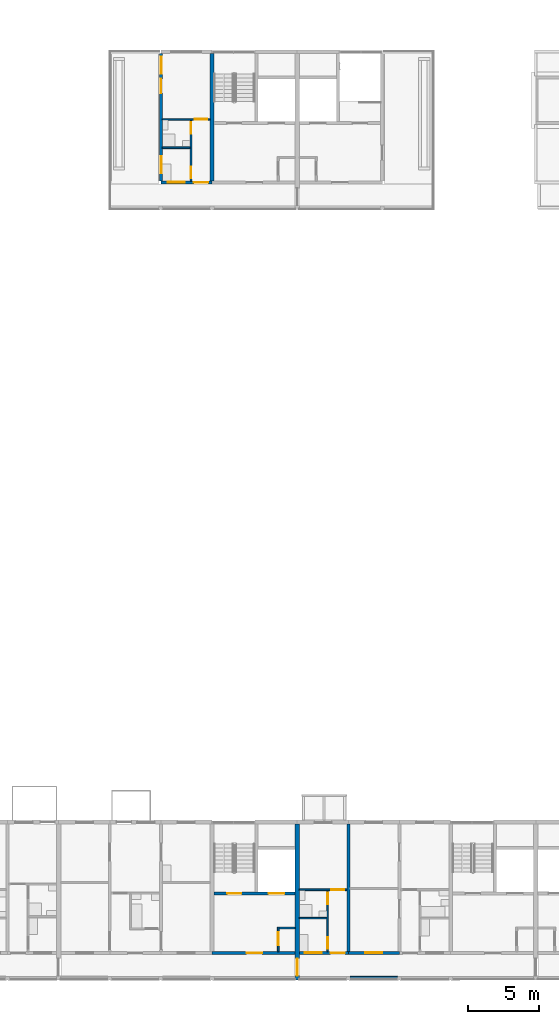
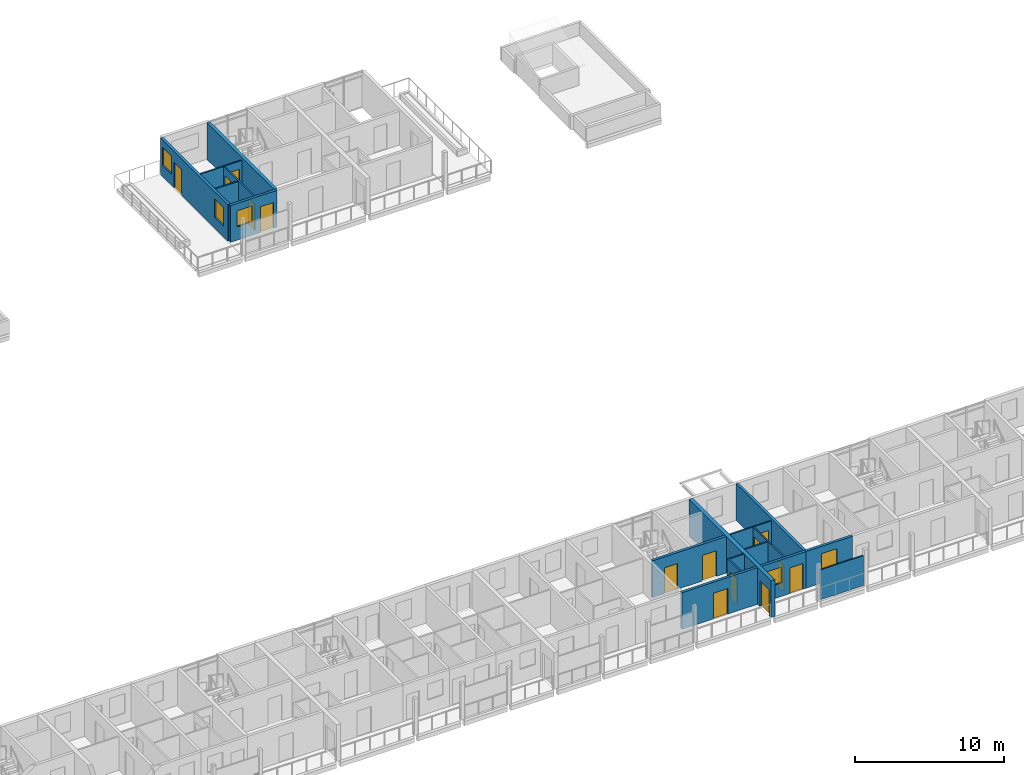
# One storey, part 42 of 87: 18 walls, 14 doors, 5 windows, 19 openings.
"""IFC4 building model written with IfcOpenShell, lengths in metres."""

from ifc_helpers import new_model, si_unit, direction, frame, frame_2d, origin, place, context, subcontext, project, spatial, rectangle, extrude, material, layer, layer_set, type_object, element, fill, save


model = new_model("IFC4")

# Units and contexts
model_context = context("Model", 3, precision=1e-05, world=origin(), true_north=direction((0.0, 1.0)))
body_context = subcontext(model_context, "Body", "Model", "MODEL_VIEW")
ifc_project = project(units=[si_unit("LENGTHUNIT", "METRE"), si_unit("AREAUNIT", "SQUARE_METRE"), si_unit("VOLUMEUNIT", "CUBIC_METRE"), si_unit("PLANEANGLEUNIT", "RADIAN"), si_unit("MASSUNIT", "GRAM", prefix="KILO")], contexts=[model_context])

# Site, building, storey
site_placement = place(None, origin())
site = spatial("IfcSite", under=ifc_project, at=site_placement, CompositionType="ELEMENT")
building_placement = place(site_placement, origin())
building = spatial("IfcBuilding", under=site, at=building_placement, Name="Ridgestep Commons", CompositionType="ELEMENT")
storey_placement = place(building_placement, frame((0.0, 0.0, 27.0)))
storey = spatial("IfcBuildingStorey", under=building, at=storey_placement, Name="L09", CompositionType="ELEMENT", Elevation=27.0)

# Wall
ifc_material_1 = material(Name="Concrete C30/37", Category="concrete")
ifc_layer_1 = layer(ifc_material_1, 0.25)
ifc_layer_set_1 = layer_set([ifc_layer_1], Name="Core cross wall 250")
wall_type_1 = type_object("IfcWallType", Name="Core cross wall 250", PredefinedType="SHEAR", material=ifc_layer_set_1)
wall_1_placement = place(storey_placement, frame((73.199951171875, 68.0, 0.0), z_axis=(0.0, 0.0, 1.0), x_axis=(0.0, 1.0, 0.0)))
element("IfcWall", 1, at=wall_1_placement, inside=storey, type_object=wall_type_1, Name="Cross wall B-09-0732", PredefinedType="SHEAR", context=body_context, shape_type="SweptSolid", body=[
    extrude(rectangle(XDim=9.0, YDim=0.25, at=frame_2d((4.5, 0.0))), origin(), (0.0, 0.0, 1.0), 3.0),
])

# Wall, opening, door
ifc_material_2 = material(Name="Concrete C30/37", Category="concrete")
ifc_layer_2 = layer(ifc_material_2, 0.199951171875)
ifc_layer_set_2 = layer_set([ifc_layer_2], Name="Core south wall 200")
wall_type_2 = type_object("IfcWallType", Name="Core south wall 200", PredefinedType="SHEAR", material=ifc_layer_set_2)
wall_2_placement = place(storey_placement, frame((73.199951171875, 13.64990234375, 0.0), z_axis=(0.0, 0.0, 1.0), x_axis=(1.0, 0.0, 0.0)))
wall_2 = element("IfcWall", 2, at=wall_2_placement, inside=storey, type_object=wall_type_2, Name="Core south wall A4C L09", PredefinedType="SHEAR", context=body_context, shape_type="SweptSolid", body=[
    extrude(rectangle(XDim=5.85009765625, YDim=0.199951171875, at=frame_2d((2.925048828125, 0.0))), origin(), (0.0, 0.0, 1.0), 3.0),
])
opening_1_placement = place(wall_2_placement, frame((2.4375, 0.0, 0.0)))
opening_1 = element("IfcOpeningElement", 3, at=opening_1_placement, cuts=wall_2, Name="Opening A4C/09/1", PredefinedType="OPENING", context=body_context, shape_type="SweptSolid", body=[
    extrude(rectangle(XDim=1.10009765625, YDim=2.10009765625, at=frame_2d((0.550048828125, 1.050048828125))), frame((0.0, 0.10986328125, 0.0), z_axis=(0.0, -1.0, 0.0), x_axis=(1.0, 0.0, 0.0)), (0.0, 0.0, 1.0), 0.219970703125),
])
ifc_material_3 = material(Name="Steel fire door", Category="steel")
door_type_1 = type_object("IfcDoorType", Name="Lobby door 1100 x 2100 FD60", OperationType="NOTDEFINED", PredefinedType="DOOR", material=ifc_material_3)
door_1_placement = place(opening_1_placement, origin())
door_1 = element("IfcDoor", 4, at=door_1_placement, inside=storey, type_object=door_type_1, Name="Lobby door A4C/09/1", OperationType="SINGLE_SWING_LEFT", OverallHeight=2.10009765625, OverallWidth=1.10009765625, PredefinedType="DOOR", context=body_context, shape_type="SweptSolid", body=[
    extrude(rectangle(XDim=1.10009765625, YDim=2.10009765625, at=frame_2d((0.550048828125, 1.050048828125))), frame((0.0, 0.02490234375, 0.0), z_axis=(0.0, -1.0, 0.0), x_axis=(1.0, 0.0, 0.0)), (0.0, 0.0, 1.0), 0.050048828125),
])
fill(opening_1, door_1)

ifc_material_4 = material(Name="Concrete C30/37", Category="concrete")
ifc_layer_3 = layer(ifc_material_4, 0.1201171875)
ifc_layer_set_3 = layer_set([ifc_layer_3], Name="Core wall 120")
wall_type_3 = type_object("IfcWallType", Name="Core wall 120", PredefinedType="SHEAR", material=ifc_layer_set_3)
wall_3_placement = place(storey_placement, frame((77.860107421875, 13.75, 0.0), z_axis=(0.0, 0.0, 1.0), x_axis=(0.0, 1.0, 0.0)))
wall_3 = element("IfcWall", 5, at=wall_3_placement, inside=storey, type_object=wall_type_3, Name="Core riser w wall A4C L09", PredefinedType="SHEAR", context=body_context, shape_type="SweptSolid", body=[
    extrude(rectangle(XDim=1.719970703125, YDim=0.1201171875, at=frame_2d((0.85986328125, 0.0))), origin(), (0.0, 0.0, 1.0), 3.0),
])
opening_2_placement = place(wall_3_placement, frame((0.449951171875, 0.0, 0.0)))
opening_2 = element("IfcOpeningElement", 6, at=opening_2_placement, cuts=wall_3, Name="Opening A4C/09/4", PredefinedType="OPENING", context=body_context, shape_type="SweptSolid", body=[
    extrude(rectangle(XDim=0.89990234375, YDim=2.10009765625, at=frame_2d((0.449951171875, 1.050048828125))), frame((0.0, 0.070068359375, 0.0), z_axis=(0.0, -1.0, 0.0), x_axis=(1.0, 0.0, 0.0)), (0.0, 0.0, 1.0), 0.14013671875),
])
ifc_material_5 = material(Name="Steel fire door", Category="steel")
door_type_2 = type_object("IfcDoorType", Name="Riser door 900 x 2100 FD60", OperationType="NOTDEFINED", PredefinedType="DOOR", material=ifc_material_5)
door_2_placement = place(opening_2_placement, origin())
door_2 = element("IfcDoor", 7, at=door_2_placement, inside=storey, type_object=door_type_2, Name="Riser door A4C/09/4", OperationType="SINGLE_SWING_LEFT", OverallHeight=2.10009765625, OverallWidth=0.89990234375, PredefinedType="DOOR", context=body_context, shape_type="SweptSolid", body=[
    extrude(rectangle(XDim=0.89990234375, YDim=2.10009765625, at=frame_2d((0.449951171875, 1.050048828125))), frame((0.0, 0.02490234375, 0.0), z_axis=(0.0, -1.0, 0.0), x_axis=(1.0, 0.0, 0.0)), (0.0, 0.0, 1.0), 0.050048828125),
])
fill(opening_2, door_2)

# Wall
wall_4_placement = place(storey_placement, frame((77.919921875, 15.409912109375, 0.0), z_axis=(0.0, 0.0, 1.0), x_axis=(1.0, 0.0, 0.0)))
element("IfcWall", 8, at=wall_4_placement, inside=storey, type_object=wall_type_3, Name="Core riser n wall A4C L09", PredefinedType="SHEAR", context=body_context, shape_type="SweptSolid", body=[
    extrude(rectangle(XDim=1.130126953125, YDim=0.1201171875, at=frame_2d((0.56494140625, 0.0))), origin(), (0.0, 0.0, 1.0), 3.0),
])

# Wall, openings, doors
ifc_material_6 = material(Name="Concrete C30/37", Category="concrete")
ifc_layer_4 = layer(ifc_material_6, 0.199951171875)
ifc_layer_set_4 = layer_set([ifc_layer_4], Name="Core wall 200")
wall_type_4 = type_object("IfcWallType", Name="Core wall 200", PredefinedType="SHEAR", material=ifc_layer_set_4)
wall_5_placement = place(storey_placement, frame((73.324951171875, 17.85009765625, 0.0), z_axis=(0.0, 0.0, 1.0), x_axis=(1.0, 0.0, 0.0)))
wall_5 = element("IfcWall", 9, at=wall_5_placement, inside=storey, type_object=wall_type_4, Name="Core lobby wall A4C L09", PredefinedType="SHEAR", context=body_context, shape_type="SweptSolid", body=[
    extrude(rectangle(XDim=5.72509765625, YDim=0.199951171875, at=frame_2d((2.862548828125, 0.0))), origin(), (0.0, 0.0, 1.0), 3.0),
])
opening_3_placement = place(wall_5_placement, frame((0.949951171875, 0.0, 0.0)))
opening_3 = element("IfcOpeningElement", 10, at=opening_3_placement, cuts=wall_5, Name="Opening A4C/09/2", PredefinedType="OPENING", context=body_context, shape_type="SweptSolid", body=[
    extrude(rectangle(XDim=1.0, YDim=2.10009765625, at=frame_2d((0.5, 1.050048828125))), frame((0.0, 0.10986328125, 0.0), z_axis=(0.0, -1.0, 0.0), x_axis=(1.0, 0.0, 0.0)), (0.0, 0.0, 1.0), 0.219970703125),
])
opening_4_placement = place(wall_5_placement, frame((3.862548828125, 0.0, 0.0)))
opening_4 = element("IfcOpeningElement", 11, at=opening_4_placement, cuts=wall_5, Name="Opening A4C/09/3", PredefinedType="OPENING", context=body_context, shape_type="SweptSolid", body=[
    extrude(rectangle(XDim=1.10009765625, YDim=2.10009765625, at=frame_2d((0.550048828125, 1.050048828125))), frame((0.0, 0.10986328125, 0.0), z_axis=(0.0, -1.0, 0.0), x_axis=(1.0, 0.0, 0.0)), (0.0, 0.0, 1.0), 0.219970703125),
])
ifc_material_7 = material(Name="Stainless steel", Category="steel")
door_type_3 = type_object("IfcDoorType", Name="Lift landing door 1100 x 2100 FD60", OperationType="DOUBLE_DOOR_SLIDING", PredefinedType="DOOR", material=ifc_material_7)
door_3_placement = place(opening_4_placement, origin())
door_3 = element("IfcDoor", 12, at=door_3_placement, inside=storey, type_object=door_type_3, Name="Landing door LD A4C L09", OperationType="DOUBLE_DOOR_SLIDING", OverallHeight=2.10009765625, OverallWidth=1.10009765625, PredefinedType="DOOR", context=body_context, shape_type="SweptSolid", body=[
    extrude(rectangle(XDim=1.10009765625, YDim=2.10009765625, at=frame_2d((0.550048828125, 1.050048828125))), frame((0.0, 0.02490234375, 0.0), z_axis=(0.0, -1.0, 0.0), x_axis=(1.0, 0.0, 0.0)), (0.0, 0.0, 1.0), 0.050048828125),
])
fill(opening_4, door_3)
ifc_material_8 = material(Name="Steel fire door", Category="steel")
door_type_4 = type_object("IfcDoorType", Name="Stair door 1000 x 2100 FD60", OperationType="NOTDEFINED", PredefinedType="DOOR", material=ifc_material_8)
door_4_placement = place(opening_3_placement, origin())
door_4 = element("IfcDoor", 13, at=door_4_placement, inside=storey, type_object=door_type_4, Name="Stair door A4C/09/2", OperationType="SINGLE_SWING_RIGHT", OverallHeight=2.10009765625, OverallWidth=1.0, PredefinedType="DOOR", context=body_context, shape_type="SweptSolid", body=[
    extrude(rectangle(XDim=1.0, YDim=2.10009765625, at=frame_2d((0.5, 1.050048828125))), frame((0.0, 0.02490234375, 0.0), z_axis=(0.0, -1.0, 0.0), x_axis=(1.0, 0.0, 0.0)), (0.0, 0.0, 1.0), 0.050048828125),
])
fill(opening_3, door_4)

# Wall
ifc_material_9 = material(Name="Precast concrete C40/50", Category="concrete")
ifc_layer_5 = layer(ifc_material_9, 0.199951171875)
ifc_layer_set_5 = layer_set([ifc_layer_5], Name="Cross wall 200")
wall_type_5 = type_object("IfcWallType", Name="Cross wall 200", PredefinedType="SHEAR", material=ifc_layer_set_5)
wall_6_placement = place(storey_placement, frame((82.800048828125, 13.75, 0.0), z_axis=(0.0, 0.0, 1.0), x_axis=(0.0, 1.0, 0.0)))
element("IfcWall", 14, at=wall_6_placement, inside=storey, type_object=wall_type_5, Name="Cross wall A-09-0828", PredefinedType="SHEAR", context=body_context, shape_type="SweptSolid", body=[
    extrude(rectangle(XDim=9.0, YDim=0.199951171875, at=frame_2d((4.5, 0.0))), origin(), (0.0, 0.0, 1.0), 3.0),
])

# Wall, opening, door
ifc_material_10 = material(Name="Precast concrete C40/50", Category="concrete")
ifc_layer_6 = layer(ifc_material_10, 0.300048828125)
ifc_layer_set_6 = layer_set([ifc_layer_6], Name="Division wall 300")
wall_type_6 = type_object("IfcWallType", Name="Division wall 300", PredefinedType="SHEAR", material=ifc_layer_set_6)
wall_7_placement = place(storey_placement, frame((79.199951171875, 11.75, 0.0), z_axis=(0.0, 0.0, 1.0), x_axis=(0.0, 1.0, 0.0)))
wall_7 = element("IfcWall", 15, at=wall_7_placement, inside=storey, type_object=wall_type_6, Name="Cross wall A-09-0792", PredefinedType="SHEAR", context=body_context, shape_type="SweptSolid", body=[
    extrude(rectangle(XDim=11.0, YDim=0.300048828125, at=frame_2d((5.5, 0.0))), origin(), (0.0, 0.0, 1.0), 3.0),
])
opening_5_placement = place(wall_7_placement, frame((0.300048828125, 0.0, 0.0)))
opening_5 = element("IfcOpeningElement", 16, at=opening_5_placement, cuts=wall_7, Name="Opening A/09/G0792", PredefinedType="OPENING", context=body_context, shape_type="SweptSolid", body=[
    extrude(rectangle(XDim=1.199951171875, YDim=2.10009765625, at=frame_2d((0.60009765625, 1.050048828125))), frame((0.0, 0.159912109375, 0.0), z_axis=(0.0, -1.0, 0.0), x_axis=(1.0, 0.0, 0.0)), (0.0, 0.0, 1.0), 0.320068359375),
])
ifc_material_11 = material(Name="Steel fire door", Category="steel")
door_type_5 = type_object("IfcDoorType", Name="Division fire door 1200 x 2100 EI 240", OperationType="DOUBLE_DOOR_SINGLE_SWING", PredefinedType="DOOR", material=ifc_material_11)
door_5_placement = place(opening_5_placement, origin())
door_5 = element("IfcDoor", 17, at=door_5_placement, inside=storey, type_object=door_type_5, Name="Division fire door A/09/G0792", OperationType="DOUBLE_DOOR_SINGLE_SWING", OverallHeight=2.10009765625, OverallWidth=1.199951171875, PredefinedType="DOOR", context=body_context, shape_type="SweptSolid", body=[
    extrude(rectangle(XDim=1.199951171875, YDim=2.10009765625, at=frame_2d((0.60009765625, 1.050048828125))), frame((0.0, 0.02490234375, 0.0), z_axis=(0.0, -1.0, 0.0), x_axis=(1.0, 0.0, 0.0)), (0.0, 0.0, 1.0), 0.050048828125),
])
fill(opening_5, door_5)

# Wall, openings, windows, door
ifc_material_12 = material(Name="Precast concrete C40/50", Category="concrete")
ifc_layer_7 = layer(ifc_material_12, 0.199951171875)
ifc_layer_set_7 = layer_set([ifc_layer_7], Name="Exposed cross wall 200")
wall_type_7 = type_object("IfcWallType", Name="Exposed cross wall 200", PredefinedType="SHEAR", material=ifc_layer_set_7)
wall_8_placement = place(storey_placement, frame((69.60009765625, 68.0, 0.0), z_axis=(0.0, 0.0, 1.0), x_axis=(0.0, 1.0, 0.0)))
wall_8 = element("IfcWall", 18, at=wall_8_placement, inside=storey, type_object=wall_type_7, Name="Cross wall B-09-0696", PredefinedType="SHEAR", context=body_context, shape_type="SweptSolid", body=[
    extrude(rectangle(XDim=9.0, YDim=0.199951171875, at=frame_2d((4.5, 0.0))), origin(), (0.0, 0.0, 1.0), 3.0),
])
opening_6_placement = place(wall_8_placement, frame((0.550048828125, 0.0, 0.89990234375)))
opening_6 = element("IfcOpeningElement", 19, at=opening_6_placement, cuts=wall_8, Name="Opening W10", PredefinedType="OPENING", context=body_context, shape_type="SweptSolid", body=[
    extrude(rectangle(XDim=1.199951171875, YDim=1.5, at=frame_2d((0.60009765625, 0.75))), frame((0.0, 0.10986328125, 0.0), z_axis=(0.0, -1.0, 0.0), x_axis=(1.0, 0.0, 0.0)), (0.0, 0.0, 1.0), 0.219970703125),
])
opening_7_placement = place(wall_8_placement, frame((7.552490234375, 0.0, 0.89990234375)))
opening_7 = element("IfcOpeningElement", 20, at=opening_7_placement, cuts=wall_8, Name="Opening W10", PredefinedType="OPENING", context=body_context, shape_type="SweptSolid", body=[
    extrude(rectangle(XDim=1.199951171875, YDim=1.5, at=frame_2d((0.60009765625, 0.75))), frame((0.0, 0.10986328125, 0.0), z_axis=(0.0, -1.0, 0.0), x_axis=(1.0, 0.0, 0.0)), (0.0, 0.0, 1.0), 0.219970703125),
])
opening_8_placement = place(wall_8_placement, frame((6.205078125, 0.0, 0.0)))
opening_8 = element("IfcOpeningElement", 21, at=opening_8_placement, cuts=wall_8, Name="Opening B4-09a/5", PredefinedType="OPENING", context=body_context, shape_type="SweptSolid", body=[
    extrude(rectangle(XDim=1.0, YDim=2.10009765625, at=frame_2d((0.5, 1.050048828125))), frame((0.0, 0.10986328125, 0.0), z_axis=(0.0, -1.0, 0.0), x_axis=(1.0, 0.0, 0.0)), (0.0, 0.0, 1.0), 0.219970703125),
])
ifc_material_13 = material(Name="Aluminium 6063-T6 and glass", Category="aluminium")
window_type_1 = type_object("IfcWindowType", Name="Flat window 1200 x 1500", PartitioningType="SINGLE_PANEL", PredefinedType="WINDOW", material=ifc_material_13)
window_1_placement = place(opening_6_placement, origin())
window_1 = element("IfcWindow", 22, at=window_1_placement, inside=storey, type_object=window_type_1, Name="Window B4-09a 3", OverallHeight=1.5, OverallWidth=1.199951171875, PartitioningType="SINGLE_PANEL", PredefinedType="WINDOW", context=body_context, shape_type="SweptSolid", body=[
    extrude(rectangle(XDim=1.199951171875, YDim=1.5, at=frame_2d((0.60009765625, 0.75))), frame((0.0, 0.0, 0.0), z_axis=(0.0, -1.0, 0.0), x_axis=(1.0, 0.0, 0.0)), (0.0, 0.0, 1.0), 0.06005859375),
])
fill(opening_6, window_1)
window_2_placement = place(opening_7_placement, origin())
window_2 = element("IfcWindow", 23, at=window_2_placement, inside=storey, type_object=window_type_1, Name="Window B4-09a 4", OverallHeight=1.5, OverallWidth=1.199951171875, PartitioningType="SINGLE_PANEL", PredefinedType="WINDOW", context=body_context, shape_type="SweptSolid", body=[
    extrude(rectangle(XDim=1.199951171875, YDim=1.5, at=frame_2d((0.60009765625, 0.75))), frame((0.0, 0.0, 0.0), z_axis=(0.0, -1.0, 0.0), x_axis=(1.0, 0.0, 0.0)), (0.0, 0.0, 1.0), 0.06005859375),
])
fill(opening_7, window_2)
ifc_material_14 = material(Name="Aluminium and glass", Category="aluminium")
door_type_6 = type_object("IfcDoorType", Name="Terrace door 1000 x 2100", OperationType="NOTDEFINED", PredefinedType="DOOR", material=ifc_material_14)
door_6_placement = place(opening_8_placement, origin())
door_6 = element("IfcDoor", 24, at=door_6_placement, inside=storey, type_object=door_type_6, Name="Terrace door B4-09a/5", OperationType="SINGLE_SWING_RIGHT", OverallHeight=2.10009765625, OverallWidth=1.0, PredefinedType="DOOR", context=body_context, shape_type="SweptSolid", body=[
    extrude(rectangle(XDim=1.0, YDim=2.10009765625, at=frame_2d((0.5, 1.050048828125))), frame((0.0, 0.02490234375, 0.0), z_axis=(0.0, -1.0, 0.0), x_axis=(1.0, 0.0, 0.0)), (0.0, 0.0, 1.0), 0.050048828125),
])
fill(opening_8, door_6)

# Wall
ifc_material_15 = material(Name="Common brick 110 mm", Category="masonry")
ifc_layer_8 = layer(ifc_material_15, 0.110107421875)
ifc_layer_set_8 = layer_set([ifc_layer_8], Name="Partition 110")
wall_type_8 = type_object("IfcWallType", Name="Partition 110", PredefinedType="PARTITIONING", material=ifc_layer_set_8)
wall_9_placement = place(storey_placement, frame((79.35009765625, 16.10498046875, 0.0), z_axis=(0.0, 0.0, 1.0), x_axis=(1.0, 0.0, 0.0)))
element("IfcWall", 25, at=wall_9_placement, inside=storey, type_object=wall_type_8, Name="Partition A5-09a", PredefinedType="PARTITIONING", context=body_context, shape_type="SweptSolid", body=[
    extrude(rectangle(XDim=1.93994140625, YDim=0.110107421875, at=frame_2d((0.969970703125, 0.0))), origin(), (0.0, 0.0, 1.0), 2.800048828125),
])

# Wall, openings, doors
wall_10_placement = place(storey_placement, frame((81.344970703125, 13.75, 0.0), z_axis=(0.0, 0.0, 1.0), x_axis=(0.0, 1.0, 0.0)))
wall_10 = element("IfcWall", 26, at=wall_10_placement, inside=storey, type_object=wall_type_8, Name="Partition A5-09a", PredefinedType="PARTITIONING", context=body_context, shape_type="SweptSolid", body=[
    extrude(rectangle(XDim=4.300048828125, YDim=0.110107421875, at=frame_2d((2.14990234375, 0.0))), origin(), (0.0, 0.0, 1.0), 2.800048828125),
])
opening_9_placement = place(wall_10_placement, frame((0.199951171875, 0.0, 0.0)))
opening_9 = element("IfcOpeningElement", 27, at=opening_9_placement, cuts=wall_10, Name="Opening A5-09a/2", PredefinedType="OPENING", context=body_context, shape_type="SweptSolid", body=[
    extrude(rectangle(XDim=0.800048828125, YDim=2.10009765625, at=frame_2d((0.39990234375, 1.050048828125))), frame((0.0, 0.06494140625, 0.0), z_axis=(0.0, -1.0, 0.0), x_axis=(1.0, 0.0, 0.0)), (0.0, 0.0, 1.0), 0.130126953125),
])
opening_10_placement = place(wall_10_placement, frame((3.35009765625, 0.0, 0.0)))
opening_10 = element("IfcOpeningElement", 28, at=opening_10_placement, cuts=wall_10, Name="Opening A5-09a/3", PredefinedType="OPENING", context=body_context, shape_type="SweptSolid", body=[
    extrude(rectangle(XDim=0.800048828125, YDim=2.10009765625, at=frame_2d((0.39990234375, 1.050048828125))), frame((0.0, 0.06494140625, 0.0), z_axis=(0.0, -1.0, 0.0), x_axis=(1.0, 0.0, 0.0)), (0.0, 0.0, 1.0), 0.130126953125),
])
ifc_material_16 = material(Name="Timber door leaf", Category="wood")
door_type_7 = type_object("IfcDoorType", Name="Internal door 800 x 2100", OperationType="NOTDEFINED", PredefinedType="DOOR", material=ifc_material_16)
door_7_placement = place(opening_9_placement, origin())
door_7 = element("IfcDoor", 29, at=door_7_placement, inside=storey, type_object=door_type_7, Name="Internal door A5-09a/2", OperationType="SINGLE_SWING_LEFT", OverallHeight=2.10009765625, OverallWidth=0.800048828125, PredefinedType="DOOR", context=body_context, shape_type="SweptSolid", body=[
    extrude(rectangle(XDim=0.800048828125, YDim=2.10009765625, at=frame_2d((0.39990234375, 1.050048828125))), frame((0.0, 0.02490234375, 0.0), z_axis=(0.0, -1.0, 0.0), x_axis=(1.0, 0.0, 0.0)), (0.0, 0.0, 1.0), 0.050048828125),
])
fill(opening_9, door_7)
door_8_placement = place(opening_10_placement, origin())
door_8 = element("IfcDoor", 30, at=door_8_placement, inside=storey, type_object=door_type_7, Name="Internal door A5-09a/3", OperationType="SINGLE_SWING_RIGHT", OverallHeight=2.10009765625, OverallWidth=0.800048828125, PredefinedType="DOOR", context=body_context, shape_type="SweptSolid", body=[
    extrude(rectangle(XDim=0.800048828125, YDim=2.10009765625, at=frame_2d((0.39990234375, 1.050048828125))), frame((0.0, 0.02490234375, 0.0), z_axis=(0.0, -1.0, 0.0), x_axis=(1.0, 0.0, 0.0)), (0.0, 0.0, 1.0), 0.050048828125),
])
fill(opening_10, door_8)

# Wall, opening, door
wall_11_placement = place(storey_placement, frame((79.35009765625, 18.10498046875, 0.0), z_axis=(0.0, 0.0, 1.0), x_axis=(1.0, 0.0, 0.0)))
wall_11 = element("IfcWall", 31, at=wall_11_placement, inside=storey, type_object=wall_type_8, Name="Partition A5-09a", PredefinedType="PARTITIONING", context=body_context, shape_type="SweptSolid", body=[
    extrude(rectangle(XDim=3.349853515625, YDim=0.110107421875, at=frame_2d((1.6748046875, 0.0))), origin(), (0.0, 0.0, 1.0), 2.800048828125),
])
opening_11_placement = place(wall_11_placement, frame((2.25, 0.0, 0.0)))
opening_11 = element("IfcOpeningElement", 32, at=opening_11_placement, cuts=wall_11, Name="Opening A5-09a/4", PredefinedType="OPENING", context=body_context, shape_type="SweptSolid", body=[
    extrude(rectangle(XDim=0.89990234375, YDim=2.10009765625, at=frame_2d((0.449951171875, 1.050048828125))), frame((0.0, 0.06494140625, 0.0), z_axis=(0.0, -1.0, 0.0), x_axis=(1.0, 0.0, 0.0)), (0.0, 0.0, 1.0), 0.130126953125),
])
ifc_material_17 = material(Name="Timber door leaf", Category="wood")
door_type_8 = type_object("IfcDoorType", Name="Internal door 900 x 2100", OperationType="NOTDEFINED", PredefinedType="DOOR", material=ifc_material_17)
door_9_placement = place(opening_11_placement, origin())
door_9 = element("IfcDoor", 33, at=door_9_placement, inside=storey, type_object=door_type_8, Name="Internal door A5-09a/4", OperationType="SINGLE_SWING_RIGHT", OverallHeight=2.10009765625, OverallWidth=0.89990234375, PredefinedType="DOOR", context=body_context, shape_type="SweptSolid", body=[
    extrude(rectangle(XDim=0.89990234375, YDim=2.10009765625, at=frame_2d((0.449951171875, 1.050048828125))), frame((0.0, 0.02490234375, 0.0), z_axis=(0.0, -1.0, 0.0), x_axis=(1.0, 0.0, 0.0)), (0.0, 0.0, 1.0), 0.050048828125),
])
fill(opening_11, door_9)

# Wall
wall_12_placement = place(storey_placement, frame((69.699951171875, 70.35498046875, 0.0), z_axis=(0.0, 0.0, 1.0), x_axis=(1.0, 0.0, 0.0)))
element("IfcWall", 34, at=wall_12_placement, inside=storey, type_object=wall_type_8, Name="Partition B4-09a", PredefinedType="PARTITIONING", context=body_context, shape_type="SweptSolid", body=[
    extrude(rectangle(XDim=1.965087890625, YDim=0.110107421875, at=frame_2d((0.982421875, 0.0))), origin(), (0.0, 0.0, 1.0), 2.75),
])

# Wall, openings, doors
wall_13_placement = place(storey_placement, frame((71.719970703125, 68.0, 0.0), z_axis=(0.0, 0.0, 1.0), x_axis=(0.0, 1.0, 0.0)))
wall_13 = element("IfcWall", 35, at=wall_13_placement, inside=storey, type_object=wall_type_8, Name="Partition B4-09a", PredefinedType="PARTITIONING", context=body_context, shape_type="SweptSolid", body=[
    extrude(rectangle(XDim=4.300048828125, YDim=0.110107421875, at=frame_2d((2.14990234375, 0.0))), origin(), (0.0, 0.0, 1.0), 2.75),
])
opening_12_placement = place(wall_13_placement, frame((0.199951171875, 0.0, 0.0)))
opening_12 = element("IfcOpeningElement", 36, at=opening_12_placement, cuts=wall_13, Name="Opening B4-09a/2", PredefinedType="OPENING", context=body_context, shape_type="SweptSolid", body=[
    extrude(rectangle(XDim=0.800048828125, YDim=2.10009765625, at=frame_2d((0.39990234375, 1.050048828125))), frame((0.0, 0.06494140625, 0.0), z_axis=(0.0, -1.0, 0.0), x_axis=(1.0, 0.0, 0.0)), (0.0, 0.0, 1.0), 0.130126953125),
])
opening_13_placement = place(wall_13_placement, frame((3.35009765625, 0.0, 0.0)))
opening_13 = element("IfcOpeningElement", 37, at=opening_13_placement, cuts=wall_13, Name="Opening B4-09a/3", PredefinedType="OPENING", context=body_context, shape_type="SweptSolid", body=[
    extrude(rectangle(XDim=0.800048828125, YDim=2.10009765625, at=frame_2d((0.39990234375, 1.050048828125))), frame((0.0, 0.06494140625, 0.0), z_axis=(0.0, -1.0, 0.0), x_axis=(1.0, 0.0, 0.0)), (0.0, 0.0, 1.0), 0.130126953125),
])
door_10_placement = place(opening_12_placement, origin())
door_10 = element("IfcDoor", 38, at=door_10_placement, inside=storey, type_object=door_type_7, Name="Internal door B4-09a/2", OperationType="SINGLE_SWING_LEFT", OverallHeight=2.10009765625, OverallWidth=0.800048828125, PredefinedType="DOOR", context=body_context, shape_type="SweptSolid", body=[
    extrude(rectangle(XDim=0.800048828125, YDim=2.10009765625, at=frame_2d((0.39990234375, 1.050048828125))), frame((0.0, 0.02490234375, 0.0), z_axis=(0.0, -1.0, 0.0), x_axis=(1.0, 0.0, 0.0)), (0.0, 0.0, 1.0), 0.050048828125),
])
fill(opening_12, door_10)
door_11_placement = place(opening_13_placement, origin())
door_11 = element("IfcDoor", 39, at=door_11_placement, inside=storey, type_object=door_type_7, Name="Internal door B4-09a/3", OperationType="SINGLE_SWING_RIGHT", OverallHeight=2.10009765625, OverallWidth=0.800048828125, PredefinedType="DOOR", context=body_context, shape_type="SweptSolid", body=[
    extrude(rectangle(XDim=0.800048828125, YDim=2.10009765625, at=frame_2d((0.39990234375, 1.050048828125))), frame((0.0, 0.02490234375, 0.0), z_axis=(0.0, -1.0, 0.0), x_axis=(1.0, 0.0, 0.0)), (0.0, 0.0, 1.0), 0.050048828125),
])
fill(opening_13, door_11)

# Wall, opening, door
wall_14_placement = place(storey_placement, frame((69.699951171875, 72.35498046875, 0.0), z_axis=(0.0, 0.0, 1.0), x_axis=(1.0, 0.0, 0.0)))
wall_14 = element("IfcWall", 40, at=wall_14_placement, inside=storey, type_object=wall_type_8, Name="Partition B4-09a", PredefinedType="PARTITIONING", context=body_context, shape_type="SweptSolid", body=[
    extrude(rectangle(XDim=3.375, YDim=0.110107421875, at=frame_2d((1.6875, 0.0))), origin(), (0.0, 0.0, 1.0), 2.75),
])
opening_14_placement = place(wall_14_placement, frame((2.27490234375, 0.0, 0.0)))
opening_14 = element("IfcOpeningElement", 41, at=opening_14_placement, cuts=wall_14, Name="Opening B4-09a/4", PredefinedType="OPENING", context=body_context, shape_type="SweptSolid", body=[
    extrude(rectangle(XDim=0.89990234375, YDim=2.10009765625, at=frame_2d((0.449951171875, 1.050048828125))), frame((0.0, 0.06494140625, 0.0), z_axis=(0.0, -1.0, 0.0), x_axis=(1.0, 0.0, 0.0)), (0.0, 0.0, 1.0), 0.130126953125),
])
door_12_placement = place(opening_14_placement, origin())
door_12 = element("IfcDoor", 42, at=door_12_placement, inside=storey, type_object=door_type_8, Name="Internal door B4-09a/4", OperationType="SINGLE_SWING_RIGHT", OverallHeight=2.10009765625, OverallWidth=0.89990234375, PredefinedType="DOOR", context=body_context, shape_type="SweptSolid", body=[
    extrude(rectangle(XDim=0.89990234375, YDim=2.10009765625, at=frame_2d((0.449951171875, 1.050048828125))), frame((0.0, 0.02490234375, 0.0), z_axis=(0.0, -1.0, 0.0), x_axis=(1.0, 0.0, 0.0)), (0.0, 0.0, 1.0), 0.050048828125),
])
fill(opening_14, door_12)

# Wall
ifc_material_18 = material(Name="Precast concrete C30/37", Category="concrete")
ifc_layer_9 = layer(ifc_material_18, 0.10009765625)
ifc_layer_set_9 = layer_set([ifc_layer_9], Name="Perforated gallery screen 3350 x 2450 x 100")
wall_type_9 = type_object("IfcWallType", Name="Perforated gallery screen 3350 x 2450 x 100", PredefinedType="SOLIDWALL", material=ifc_layer_set_9)
wall_15_placement = place(storey_placement, frame((82.925048828125, 11.949951171875, 0.0), z_axis=(0.0, 0.0, 1.0), x_axis=(1.0, 0.0, 0.0)))
element("IfcWall", 43, at=wall_15_placement, inside=storey, type_object=wall_type_9, Name="Gallery screen A5T2 09", PredefinedType="SOLIDWALL", context=body_context, shape_type="SweptSolid", body=[
    extrude(rectangle(XDim=3.349853515625, YDim=0.10009765625, at=frame_2d((1.6748046875, 0.0))), origin(), (0.0, 0.0, 1.0), 2.449951171875),
])

# Wall, openings, door, window
ifc_material_19 = material(Name="Precast concrete C40/50", Category="concrete")
ifc_layer_10 = layer(ifc_material_19, 0.199951171875)
ifc_layer_set_10 = layer_set([ifc_layer_10], Name="South facade panel 200")
wall_type_10 = type_object("IfcWallType", Name="South facade panel 200", PredefinedType="SOLIDWALL", material=ifc_layer_set_10)
wall_16_placement = place(storey_placement, frame((79.35009765625, 13.64990234375, 0.0), z_axis=(0.0, 0.0, 1.0), x_axis=(1.0, 0.0, 0.0)))
wall_16 = element("IfcWall", 44, at=wall_16_placement, inside=storey, type_object=wall_type_10, Name="South panel A5T1 L09", PredefinedType="SOLIDWALL", context=body_context, shape_type="SweptSolid", body=[
    extrude(rectangle(XDim=3.449951171875, YDim=0.199951171875, at=frame_2d((1.72509765625, 0.0))), origin(), (0.0, 0.0, 1.0), 3.0),
])
opening_15_placement = place(wall_16_placement, frame((0.3701171875, 0.0, 1.10009765625)))
opening_15 = element("IfcOpeningElement", 45, at=opening_15_placement, cuts=wall_16, Name="Opening W08", PredefinedType="OPENING", context=body_context, shape_type="SweptSolid", body=[
    extrude(rectangle(XDim=1.199951171875, YDim=1.300048828125, at=frame_2d((0.60009765625, 0.64990234375))), frame((0.0, 0.10986328125, 0.0), z_axis=(0.0, -1.0, 0.0), x_axis=(1.0, 0.0, 0.0)), (0.0, 0.0, 1.0), 0.219970703125),
])
opening_16_placement = place(wall_16_placement, frame((2.199951171875, 0.0, 0.0)))
opening_16 = element("IfcOpeningElement", 46, at=opening_16_placement, cuts=wall_16, Name="Opening A5-09a/1", PredefinedType="OPENING", context=body_context, shape_type="SweptSolid", body=[
    extrude(rectangle(XDim=1.0, YDim=2.10009765625, at=frame_2d((0.5, 1.050048828125))), frame((0.0, 0.10986328125, 0.0), z_axis=(0.0, -1.0, 0.0), x_axis=(1.0, 0.0, 0.0)), (0.0, 0.0, 1.0), 0.219970703125),
])
ifc_material_20 = material(Name="Timber door leaf", Category="wood")
door_type_9 = type_object("IfcDoorType", Name="Flat entrance door 1000 x 2100 FD30S", OperationType="NOTDEFINED", PredefinedType="DOOR", material=ifc_material_20)
door_13_placement = place(opening_16_placement, origin())
door_13 = element("IfcDoor", 47, at=door_13_placement, inside=storey, type_object=door_type_9, Name="Flat entrance door A5-09a/1", OperationType="SINGLE_SWING_RIGHT", OverallHeight=2.10009765625, OverallWidth=1.0, PredefinedType="DOOR", context=body_context, shape_type="SweptSolid", body=[
    extrude(rectangle(XDim=1.0, YDim=2.10009765625, at=frame_2d((0.5, 1.050048828125))), frame((0.0, 0.02490234375, 0.0), z_axis=(0.0, -1.0, 0.0), x_axis=(1.0, 0.0, 0.0)), (0.0, 0.0, 1.0), 0.050048828125),
])
fill(opening_16, door_13)
ifc_material_21 = material(Name="Aluminium 6063-T6 and glass", Category="aluminium")
window_type_2 = type_object("IfcWindowType", Name="Flat window 1200 x 1300", PartitioningType="SINGLE_PANEL", PredefinedType="WINDOW", material=ifc_material_21)
window_3_placement = place(opening_15_placement, origin())
window_3 = element("IfcWindow", 48, at=window_3_placement, inside=storey, type_object=window_type_2, Name="Window A5-09a 1", OverallHeight=1.300048828125, OverallWidth=1.199951171875, PartitioningType="SINGLE_PANEL", PredefinedType="WINDOW", context=body_context, shape_type="SweptSolid", body=[
    extrude(rectangle(XDim=1.199951171875, YDim=1.300048828125, at=frame_2d((0.60009765625, 0.64990234375))), frame((0.0, 0.06005859375, 0.0), z_axis=(0.0, -1.0, 0.0), x_axis=(1.0, 0.0, 0.0)), (0.0, 0.0, 1.0), 0.06005859375),
])
fill(opening_15, window_3)

# Wall, opening, window
wall_17_placement = place(storey_placement, frame((82.800048828125, 13.64990234375, 0.0), z_axis=(0.0, 0.0, 1.0), x_axis=(1.0, 0.0, 0.0)))
wall_17 = element("IfcWall", 49, at=wall_17_placement, inside=storey, type_object=wall_type_10, Name="South panel A5T2 L09", PredefinedType="SOLIDWALL", context=body_context, shape_type="SweptSolid", body=[
    extrude(rectangle(XDim=3.599853515625, YDim=0.199951171875, at=frame_2d((1.7998046875, 0.0))), origin(), (0.0, 0.0, 1.0), 3.0),
])
opening_17_placement = place(wall_17_placement, frame((1.199951171875, 0.0, 0.800048828125)))
opening_17 = element("IfcOpeningElement", 50, at=opening_17_placement, cuts=wall_17, Name="Opening W11", PredefinedType="OPENING", context=body_context, shape_type="SweptSolid", body=[
    extrude(rectangle(XDim=1.199951171875, YDim=1.60009765625, at=frame_2d((0.60009765625, 0.800048828125))), frame((0.0, 0.10986328125, 0.0), z_axis=(0.0, -1.0, 0.0), x_axis=(1.0, 0.0, 0.0)), (0.0, 0.0, 1.0), 0.219970703125),
])
ifc_material_22 = material(Name="Aluminium 6063-T6 and glass", Category="aluminium")
window_type_3 = type_object("IfcWindowType", Name="Flat window 1200 x 1600", PartitioningType="SINGLE_PANEL", PredefinedType="WINDOW", material=ifc_material_22)
window_4_placement = place(opening_17_placement, origin())
window_4 = element("IfcWindow", 51, at=window_4_placement, inside=storey, type_object=window_type_3, Name="Window A5-09b 1", OverallHeight=1.60009765625, OverallWidth=1.199951171875, PartitioningType="SINGLE_PANEL", PredefinedType="WINDOW", context=body_context, shape_type="SweptSolid", body=[
    extrude(rectangle(XDim=1.199951171875, YDim=1.60009765625, at=frame_2d((0.60009765625, 0.800048828125))), frame((0.0, 0.06005859375, 0.0), z_axis=(0.0, -1.0, 0.0), x_axis=(1.0, 0.0, 0.0)), (0.0, 0.0, 1.0), 0.06005859375),
])
fill(opening_17, window_4)

# Wall, openings, door, window
wall_18_placement = place(storey_placement, frame((69.60009765625, 67.89990234375, 0.0), z_axis=(0.0, 0.0, 1.0), x_axis=(1.0, 0.0, 0.0)))
wall_18 = element("IfcWall", 52, at=wall_18_placement, inside=storey, type_object=wall_type_10, Name="South panel B4T3 L09", PredefinedType="SOLIDWALL", context=body_context, shape_type="SweptSolid", body=[
    extrude(rectangle(XDim=3.599853515625, YDim=0.199951171875, at=frame_2d((1.7998046875, 0.0))), origin(), (0.0, 0.0, 1.0), 3.0),
])
opening_18_placement = place(wall_18_placement, frame((0.482421875, 0.0, 1.10009765625)))
opening_18 = element("IfcOpeningElement", 53, at=opening_18_placement, cuts=wall_18, Name="Opening W08", PredefinedType="OPENING", context=body_context, shape_type="SweptSolid", body=[
    extrude(rectangle(XDim=1.199951171875, YDim=1.300048828125, at=frame_2d((0.60009765625, 0.64990234375))), frame((0.0, 0.10986328125, 0.0), z_axis=(0.0, -1.0, 0.0), x_axis=(1.0, 0.0, 0.0)), (0.0, 0.0, 1.0), 0.219970703125),
])
opening_19_placement = place(wall_18_placement, frame((2.324951171875, 0.0, 0.0)))
opening_19 = element("IfcOpeningElement", 54, at=opening_19_placement, cuts=wall_18, Name="Opening B4-09a/1", PredefinedType="OPENING", context=body_context, shape_type="SweptSolid", body=[
    extrude(rectangle(XDim=1.0, YDim=2.10009765625, at=frame_2d((0.5, 1.050048828125))), frame((0.0, 0.10986328125, 0.0), z_axis=(0.0, -1.0, 0.0), x_axis=(1.0, 0.0, 0.0)), (0.0, 0.0, 1.0), 0.219970703125),
])
door_14_placement = place(opening_19_placement, origin())
door_14 = element("IfcDoor", 55, at=door_14_placement, inside=storey, type_object=door_type_9, Name="Flat entrance door B4-09a/1", OperationType="SINGLE_SWING_RIGHT", OverallHeight=2.10009765625, OverallWidth=1.0, PredefinedType="DOOR", context=body_context, shape_type="SweptSolid", body=[
    extrude(rectangle(XDim=1.0, YDim=2.10009765625, at=frame_2d((0.5, 1.050048828125))), frame((0.0, 0.02490234375, 0.0), z_axis=(0.0, -1.0, 0.0), x_axis=(1.0, 0.0, 0.0)), (0.0, 0.0, 1.0), 0.050048828125),
])
fill(opening_19, door_14)
window_5_placement = place(opening_18_placement, origin())
window_5 = element("IfcWindow", 56, at=window_5_placement, inside=storey, type_object=window_type_2, Name="Window B4-09a 1", OverallHeight=1.300048828125, OverallWidth=1.199951171875, PartitioningType="SINGLE_PANEL", PredefinedType="WINDOW", context=body_context, shape_type="SweptSolid", body=[
    extrude(rectangle(XDim=1.199951171875, YDim=1.300048828125, at=frame_2d((0.60009765625, 0.64990234375))), frame((0.0, 0.06005859375, 0.0), z_axis=(0.0, -1.0, 0.0), x_axis=(1.0, 0.0, 0.0)), (0.0, 0.0, 1.0), 0.06005859375),
])
fill(opening_18, window_5)

save(model, "model.ifc")
